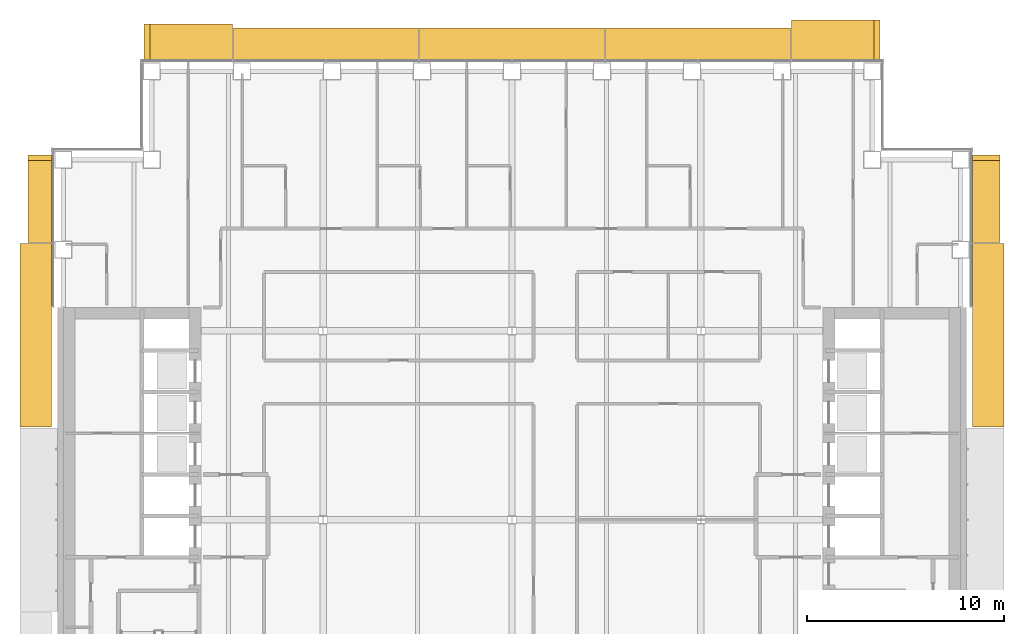
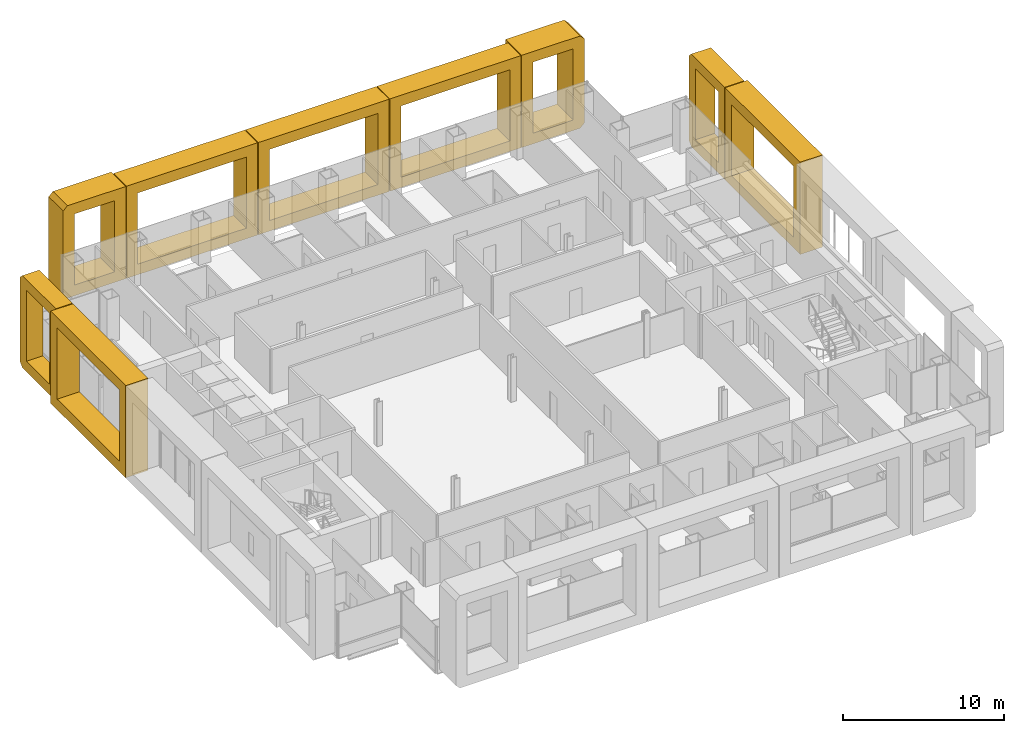
# One storey, part 19 of 20: 9 coverings.
"""IFC4 building model written with IfcOpenShell, lengths in metres."""

from ifc_helpers import new_model, si_unit, direction, frame, origin, place, context, subcontext, project, spatial, polyline, outline, extrude, material, type_object, element, save


model = new_model("IFC4")

# Units and contexts
model_context = context("Model", 3, precision=1e-05, world=origin(), true_north=direction((0.0, 1.0)))
body_context = subcontext(model_context, "Body", "Model", "MODEL_VIEW")
ifc_project = project(units=[si_unit("LENGTHUNIT", "METRE"), si_unit("AREAUNIT", "SQUARE_METRE"), si_unit("VOLUMEUNIT", "CUBIC_METRE"), si_unit("PLANEANGLEUNIT", "RADIAN"), si_unit("MASSUNIT", "GRAM", prefix="KILO")], contexts=[model_context])

# Site, building, storey
site_placement = place(None, origin())
site = spatial("IfcSite", under=ifc_project, at=site_placement, CompositionType="ELEMENT")
building_placement = place(site_placement, origin())
building = spatial("IfcBuilding", under=site, at=building_placement, Name="Cobrizo Arcos Hotel Tower", CompositionType="ELEMENT")
storey_placement = place(building_placement, frame((0.0, 0.0, 96.0)))
storey = spatial("IfcBuildingStorey", under=building, at=storey_placement, Name="L23", CompositionType="ELEMENT", Elevation=96.0)

# Coverings
ifc_material = material(Name="Aluminium 6063-T6 anodised bronze", Category="aluminium")
covering_type_1 = type_object("IfcCoveringType", Name="FIN-F 1200", PredefinedType="CLADDING", material=ifc_material)
covering_1_placement = place(storey_placement, frame((-23.39990234375, 18.550048828125, 0.0), z_axis=(-1.0, 0.0, 0.0), x_axis=(0.0, -1.0, 0.0)))
element("IfcCovering", 1, at=covering_1_placement, inside=storey, type_object=covering_type_1, Name="Fin frame 149", PredefinedType="CLADDING", context=body_context, shape_type="SweptSolid", body=[
    extrude(outline(polyline([(0.0, 0.300048828125), (0.300048828125, 0.0), (4.46240234375, 0.0), (4.46240234375, 7.0), (0.300048828125, 7.0), (0.0, 6.699951171875), (0.0, 0.300048828125)]), holes=[polyline([(3.66259765625, 0.800048828125), (0.800048828125, 0.800048828125), (0.800048828125, 6.199951171875), (3.66259765625, 6.199951171875), (3.66259765625, 0.800048828125)])]), origin(), (0.0, 0.0, 1.0), 1.2001953125),
])
covering_type_2 = type_object("IfcCoveringType", Name="FIN-F 1400", PredefinedType="CLADDING", material=ifc_material)
covering_2_placement = place(storey_placement, frame((23.39990234375, 14.08740234375, 0.0), z_axis=(1.0, 0.0, 0.0), x_axis=(0.0, 1.0, 0.0)))
element("IfcCovering", 2, at=covering_2_placement, inside=storey, type_object=covering_type_2, Name="Fin frame 110", PredefinedType="CLADDING", context=body_context, shape_type="SweptSolid", body=[
    extrude(outline(polyline([(0.0, 7.0), (0.0, 0.0), (4.16259765625, 0.0), (4.46240234375, 0.300048828125), (4.46240234375, 6.699951171875), (4.16259765625, 7.0), (0.0, 7.0)]), holes=[polyline([(3.66259765625, 0.800048828125), (0.800048828125, 0.800048828125), (0.800048828125, 6.199951171875), (3.66259765625, 6.199951171875), (3.66259765625, 0.800048828125)])]), origin(), (0.0, 0.0, 1.0), 1.400146484375),
])
covering_type_3 = type_object("IfcCoveringType", Name="FIN-F 1600", PredefinedType="CLADDING", material=ifc_material)
for number, where, z_axis, x_axis, name in (
    (3, (14.14990234375, 23.39990234375, 0.0), (0.0, 1.0, 0.0), (-1.0, 0.0, 0.0), "Fin frame 86"),
    (4, (4.699951171875, 23.39990234375, 0.0), (0.0, 1.0, 0.0), (-1.0, 0.0, 0.0), "Fin frame 87"),
    (5, (-4.75, 23.39990234375, 0.0), (0.0, 1.0, 0.0), (-1.0, 0.0, 0.0), "Fin frame 88"),
):
    element("IfcCovering", number, at=place(storey_placement, frame(where, z_axis=z_axis, x_axis=x_axis)), inside=storey, type_object=covering_type_3, Name=name, PredefinedType="CLADDING", context=body_context, shape_type="SweptSolid", body=[
        extrude(outline(polyline([(0.0, 7.0), (0.0, 0.0), (9.39990234375, 0.0), (9.39990234375, 7.0), (0.0, 7.0)]), holes=[polyline([(8.60009765625, 0.800048828125), (0.800048828125, 0.800048828125), (0.800048828125, 6.199951171875), (8.60009765625, 6.199951171875), (8.60009765625, 0.800048828125)])]), origin(), (0.0, 0.0, 1.0), 1.60009765625),
    ])
for number, where, z_axis, x_axis, name in (
    (6, (23.39990234375, 4.71240234375, 0.0), (1.0, 0.0, 0.0), (0.0, 1.0, 0.0), "Fin frame 109"),
    (7, (-23.39990234375, 14.03759765625, 0.0), (-1.0, 0.0, 0.0), (0.0, -1.0, 0.0), "Fin frame 150"),
):
    element("IfcCovering", number, at=place(storey_placement, frame(where, z_axis=z_axis, x_axis=x_axis)), inside=storey, type_object=covering_type_3, Name=name, PredefinedType="CLADDING", context=body_context, shape_type="SweptSolid", body=[
        extrude(outline(polyline([(0.0, 7.0), (0.0, 0.0), (9.324951171875, 0.0), (9.324951171875, 7.0), (0.0, 7.0)]), holes=[polyline([(8.52490234375, 0.800048828125), (0.800048828125, 0.800048828125), (0.800048828125, 6.199951171875), (8.52490234375, 6.199951171875), (8.52490234375, 0.800048828125)])]), origin(), (0.0, 0.0, 1.0), 1.60009765625),
    ])
covering_type_4 = type_object("IfcCoveringType", Name="FIN-F 1800", PredefinedType="CLADDING", material=ifc_material)
covering_3_placement = place(storey_placement, frame((-14.199951171875, 23.39990234375, 0.0), z_axis=(0.0, 1.0, 0.0), x_axis=(-1.0, 0.0, 0.0)))
element("IfcCovering", 8, at=covering_3_placement, inside=storey, type_object=covering_type_4, Name="Fin frame 89", PredefinedType="CLADDING", context=body_context, shape_type="SweptSolid", body=[
    extrude(outline(polyline([(0.0, 7.0), (0.0, 0.0), (4.199951171875, 0.0), (4.5, 0.300048828125), (4.5, 6.699951171875), (4.199951171875, 7.0), (0.0, 7.0)]), holes=[polyline([(3.699951171875, 0.800048828125), (0.800048828125, 0.800048828125), (0.800048828125, 6.199951171875), (3.699951171875, 6.199951171875), (3.699951171875, 0.800048828125)])]), origin(), (0.0, 0.0, 1.0), 1.800048828125),
])
covering_type_5 = type_object("IfcCoveringType", Name="FIN-F 2000", PredefinedType="CLADDING", material=ifc_material)
covering_4_placement = place(storey_placement, frame((18.699951171875, 23.39990234375, 0.0), z_axis=(0.0, 1.0, 0.0), x_axis=(-1.0, 0.0, 0.0)))
element("IfcCovering", 9, at=covering_4_placement, inside=storey, type_object=covering_type_5, Name="Fin frame 85", PredefinedType="CLADDING", context=body_context, shape_type="SweptSolid", body=[
    extrude(outline(polyline([(0.0, 0.300048828125), (0.300048828125, 0.0), (4.5, 0.0), (4.5, 7.0), (0.300048828125, 7.0), (0.0, 6.699951171875), (0.0, 0.300048828125)]), holes=[polyline([(3.699951171875, 0.800048828125), (0.800048828125, 0.800048828125), (0.800048828125, 6.199951171875), (3.699951171875, 6.199951171875), (3.699951171875, 0.800048828125)])]), origin(), (0.0, 0.0, 1.0), 2.0),
])

save(model, "model.ifc")
